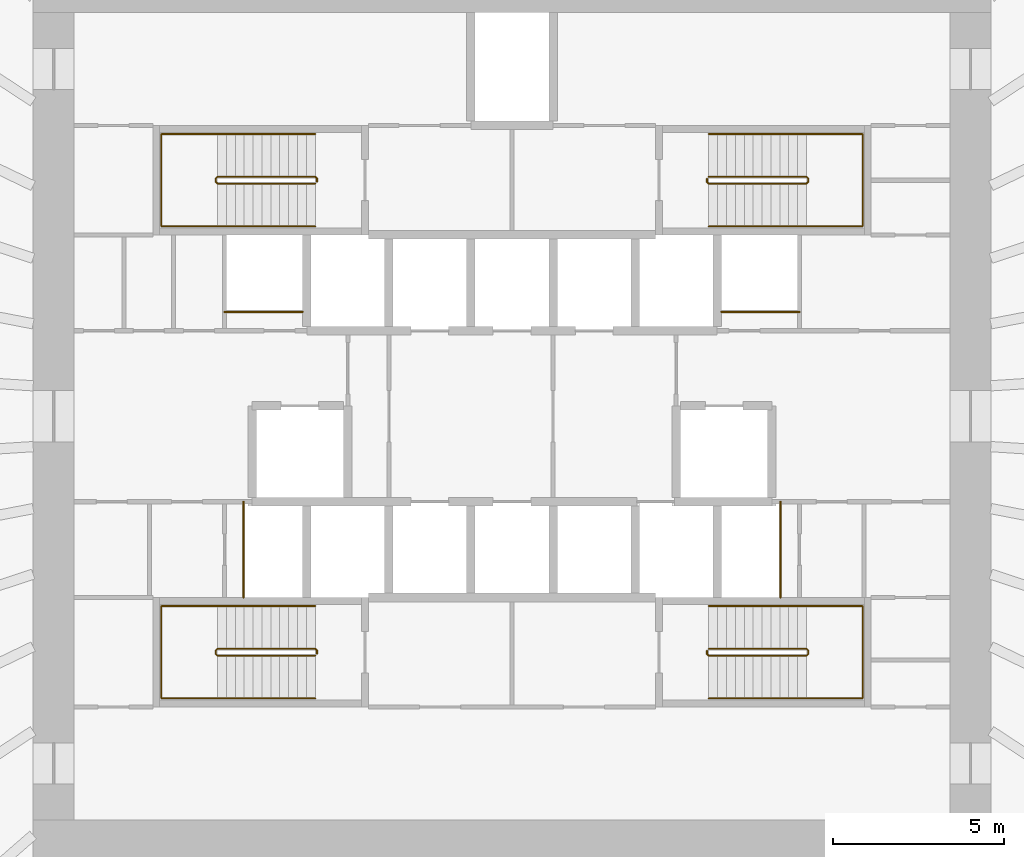
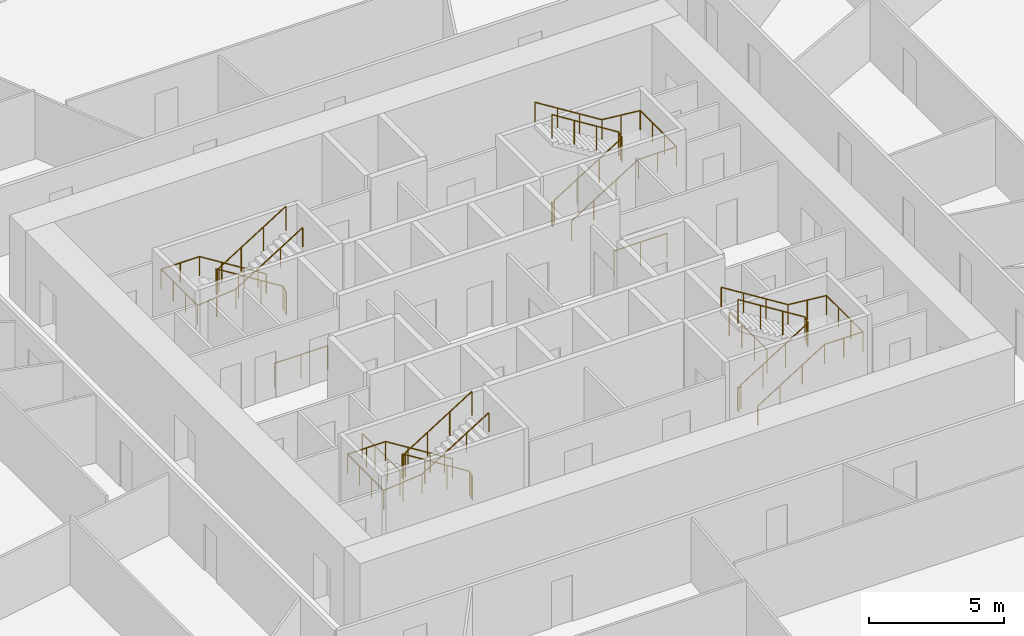
# One storey, part 11 of 11: 12 railings.
"""IFC4 building model written with IfcOpenShell, lengths in metres."""

from ifc_helpers import new_model, si_unit, direction, frame, origin, origin_2d, place, context, subcontext, project, spatial, circle, extrude, source, transform, mapped, material, type_object, element, save


model = new_model("IFC4")

# Units and contexts
model_context = context("Model", 3, precision=1e-05, world=origin(), true_north=direction((0.0, 1.0)))
body_context = subcontext(model_context, "Body", "Model", "MODEL_VIEW")
ifc_project = project(units=[si_unit("LENGTHUNIT", "METRE"), si_unit("AREAUNIT", "SQUARE_METRE"), si_unit("VOLUMEUNIT", "CUBIC_METRE"), si_unit("PLANEANGLEUNIT", "RADIAN"), si_unit("MASSUNIT", "GRAM", prefix="KILO")], contexts=[model_context])

# Site, building, storey
site_placement = place(None, origin())
site = spatial("IfcSite", under=ifc_project, at=site_placement, CompositionType="ELEMENT")
building_placement = place(site_placement, origin())
building = spatial("IfcBuilding", under=site, at=building_placement, Name="Embergate Tower", CompositionType="ELEMENT")
storey_placement = place(building_placement, frame((0.0, 0.0, 109.39990234375)))
storey = spatial("IfcBuildingStorey", under=building, at=storey_placement, Name="L23", CompositionType="ELEMENT", Elevation=109.39990234375)

# Railings
ifc_material_1 = material(Name="Stair guard 1100")
railing_type_1 = type_object("IfcRailingType", Name="Stair guard 1100", PredefinedType="GUARDRAIL", material=ifc_material_1)
shared_shape_1 = source(origin(), body_context, "Body", "SweptSolid", [
    extrude(circle(Radius=0.02392578125, at=origin_2d()), frame((0.0, 0.0, 1.076171875), z_axis=(0.0, 1.0, 0.0), x_axis=(-1.0, 0.0, 0.0)), (0.0, 0.0, 1.0), 0.099853515625),
    extrude(circle(Radius=0.02392578125, at=origin_2d()), frame((0.0, 0.099853515625, 1.076171875), z_axis=(-0.282227285176, 0.282227285176, 0.916894497205), x_axis=(-0.707106781187, -0.707106781187, 0.0)), (0.0, 0.0, 1.0), 0.17724609375),
    extrude(circle(Radius=0.02392578125, at=origin_2d()), frame((-0.050048828125, 0.14990234375, 1.23876953125), z_axis=(-0.847994237388, 0.0, 0.530005446535), x_axis=(0.0, -1.0, 0.0)), (0.0, 0.0, 1.0), 3.372802734375),
    extrude(circle(Radius=0.02392578125, at=origin_2d()), frame((-2.91015625, 0.14990234375, 3.0263671875), z_axis=(-0.705375805398, -0.708833529934, 0.0), x_axis=(0.708833529934, -0.705375805398, 0.0)), (0.0, 0.0, 1.0), 0.070556640625),
    extrude(circle(Radius=0.02392578125, at=origin_2d()), frame((-2.9599609375, 0.099853515625, 3.0263671875), z_axis=(0.0, -1.0, 0.0), x_axis=(1.0, 0.0, 0.0)), (0.0, 0.0, 1.0), 0.099853515625),
    extrude(circle(Radius=0.02392578125, at=origin_2d()), frame((-2.9599609375, 0.0, 3.0263671875), z_axis=(0.281314826061, -0.282693820306, 0.917031173188), x_axis=(0.708833529934, 0.705375805398, 0.0)), (0.0, 0.0, 1.0), 0.177001953125),
    extrude(circle(Radius=0.02392578125, at=origin_2d()), frame((-2.91015625, -0.050048828125, 3.1884765625), z_axis=(0.847994237388, 0.0, 0.530005446535), x_axis=(0.0, 1.0, 0.0)), (0.0, 0.0, 1.0), 3.372802734375),
    extrude(circle(Radius=0.02099609375, at=origin_2d()), origin(), (0.0, 0.0, 1.0), 1.052001953125),
    extrude(circle(Radius=0.02099609375, at=origin_2d()), frame((0.0, 0.099853515625, 0.0)), (0.0, 0.0, 1.0), 1.052001953125),
    extrude(circle(Radius=0.02099609375, at=origin_2d()), frame((-0.050048828125, 0.14990234375, 0.16259765625)), (0.0, 0.0, 1.0), 1.052001953125),
    extrude(circle(Radius=0.02099609375, at=origin_2d()), frame((-1.00341796875, 0.14990234375, 0.758544921875)), (0.0, 0.0, 1.0), 1.052001953125),
    extrude(circle(Radius=0.02099609375, at=origin_2d()), frame((-1.956787109375, 0.14990234375, 1.354248046875)), (0.0, 0.0, 1.0), 1.052001953125),
    extrude(circle(Radius=0.02099609375, at=origin_2d()), frame((-2.91015625, 0.14990234375, 1.9501953125)), (0.0, 0.0, 1.0), 1.052001953125),
    extrude(circle(Radius=0.02099609375, at=origin_2d()), frame((-2.9599609375, 0.099853515625, 1.9501953125)), (0.0, 0.0, 1.0), 1.052001953125),
    extrude(circle(Radius=0.02099609375, at=origin_2d()), frame((-2.9599609375, 0.0, 1.9501953125)), (0.0, 0.0, 1.0), 1.052001953125),
    extrude(circle(Radius=0.02099609375, at=origin_2d()), frame((-2.91015625, -0.050048828125, 2.112548828125)), (0.0, 0.0, 1.0), 1.052001953125),
    extrude(circle(Radius=0.02099609375, at=origin_2d()), frame((-1.956787109375, -0.050048828125, 2.70849609375)), (0.0, 0.0, 1.0), 1.052001953125),
    extrude(circle(Radius=0.02099609375, at=origin_2d()), frame((-1.00341796875, -0.050048828125, 3.30419921875)), (0.0, 0.0, 1.0), 1.052001953125),
    extrude(circle(Radius=0.02099609375, at=origin_2d()), frame((-0.050048828125, -0.050048828125, 3.900146484375)), (0.0, 0.0, 1.0), 1.052001953125),
])
for number, where, name in (
    (1, (-5.699951171875, 6.85009765625, 0.0), "L23 ST1 stair guard 1"),
    (2, (-5.699951171875, -6.949951171875, 0.0), "L23 ST3 stair guard 1"),
):
    element("IfcRailing", number, at=place(storey_placement, frame(where)), inside=storey, type_object=railing_type_1, Name=name, PredefinedType="GUARDRAIL", context=body_context, shape_type="MappedRepresentation", body=[
        mapped(shared_shape_1, transform((0.0, 0.0, 0.0))),
    ])
ifc_material_2 = material(Name="Stair handrail 900")
railing_type_2 = type_object("IfcRailingType", Name="Stair handrail 900", PredefinedType="HANDRAIL", material=ifc_material_2)
shared_shape_2 = source(origin(), body_context, "Body", "SweptSolid", [
    extrude(circle(Radius=0.02392578125, at=origin_2d()), frame((0.0, 0.0, 0.8759765625), z_axis=(-0.847994237388, 0.0, 0.530005446535), x_axis=(0.0, -1.0, 0.0)), (0.0, 0.0, 1.0), 3.372802734375),
    extrude(circle(Radius=0.02392578125, at=origin_2d()), frame((-2.860107421875, 0.0, 2.66357421875), z_axis=(-1.0, 0.0, 0.0), x_axis=(0.0, -1.0, 0.0)), (0.0, 0.0, 1.0), 1.639892578125),
    extrude(circle(Radius=0.02392578125, at=origin_2d()), frame((-4.5, 0.0, 2.66357421875), z_axis=(0.0, -1.0, 0.0), x_axis=(1.0, 0.0, 0.0)), (0.0, 0.0, 1.0), 2.699951171875),
    extrude(circle(Radius=0.02392578125, at=origin_2d()), frame((-4.5, -2.699951171875, 2.66357421875), z_axis=(0.995134983717, 0.0, 0.098520881967), x_axis=(0.0, 1.0, 0.0)), (0.0, 0.0, 1.0), 1.64794921875),
    extrude(circle(Radius=0.02392578125, at=origin_2d()), frame((-2.860107421875, -2.699951171875, 2.82568359375), z_axis=(0.847994237388, 0.0, 0.530005446535), x_axis=(0.0, 1.0, 0.0)), (0.0, 0.0, 1.0), 3.372802734375),
    extrude(circle(Radius=0.02099609375, at=origin_2d()), origin(), (0.0, 0.0, 1.0), 0.851806640625),
    extrude(circle(Radius=0.02099609375, at=origin_2d()), frame((-0.953369140625, 0.0, 0.595947265625)), (0.0, 0.0, 1.0), 0.851806640625),
    extrude(circle(Radius=0.02099609375, at=origin_2d()), frame((-1.90673828125, 0.0, 1.191650390625)), (0.0, 0.0, 1.0), 0.851806640625),
    extrude(circle(Radius=0.02099609375, at=origin_2d()), frame((-2.860107421875, 0.0, 1.78759765625)), (0.0, 0.0, 1.0), 0.851806640625),
    extrude(circle(Radius=0.02099609375, at=origin_2d()), frame((-3.68017578125, 0.0, 1.78759765625)), (0.0, 0.0, 1.0), 0.851806640625),
    extrude(circle(Radius=0.02099609375, at=origin_2d()), frame((-4.5, 0.0, 1.78759765625)), (0.0, 0.0, 1.0), 0.851806640625),
    extrude(circle(Radius=0.02099609375, at=origin_2d()), frame((-4.5, -0.89990234375, 1.78759765625)), (0.0, 0.0, 1.0), 0.851806640625),
    extrude(circle(Radius=0.02099609375, at=origin_2d()), frame((-4.5, -1.800048828125, 1.78759765625)), (0.0, 0.0, 1.0), 0.851806640625),
    extrude(circle(Radius=0.02099609375, at=origin_2d()), frame((-4.5, -2.699951171875, 1.78759765625)), (0.0, 0.0, 1.0), 0.851806640625),
    extrude(circle(Radius=0.02099609375, at=origin_2d()), frame((-3.68017578125, -2.699951171875, 1.86865234375)), (0.0, 0.0, 1.0), 0.851806640625),
    extrude(circle(Radius=0.02099609375, at=origin_2d()), frame((-2.860107421875, -2.699951171875, 1.949951171875)), (0.0, 0.0, 1.0), 0.851806640625),
    extrude(circle(Radius=0.02099609375, at=origin_2d()), frame((-1.90673828125, -2.699951171875, 2.5458984375)), (0.0, 0.0, 1.0), 0.851806640625),
    extrude(circle(Radius=0.02099609375, at=origin_2d()), frame((-0.953369140625, -2.699951171875, 3.1416015625)), (0.0, 0.0, 1.0), 0.851806640625),
    extrude(circle(Radius=0.02099609375, at=origin_2d()), frame((0.0, -2.699951171875, 3.737548828125)), (0.0, 0.0, 1.0), 0.851806640625),
])
for number, where, name in (
    (3, (-5.75, 8.25, 0.16259765625), "L23 ST1 stair handrail 1"),
    (4, (-5.75, -5.550048828125, 0.16259765625), "L23 ST3 stair handrail 1"),
):
    element("IfcRailing", number, at=place(storey_placement, frame(where)), inside=storey, type_object=railing_type_2, Name=name, PredefinedType="HANDRAIL", context=body_context, shape_type="MappedRepresentation", body=[
        mapped(shared_shape_2, transform((0.0, 0.0, 0.0))),
    ])
shared_shape_3 = source(origin(), body_context, "Body", "SweptSolid", [
    extrude(circle(Radius=0.02392578125, at=origin_2d()), frame((0.0, 0.0, 1.076171875), z_axis=(0.0, -1.0, 0.0), x_axis=(1.0, 0.0, 0.0)), (0.0, 0.0, 1.0), 0.099853515625),
    extrude(circle(Radius=0.02392578125, at=origin_2d()), frame((0.0, -0.099853515625, 1.076171875), z_axis=(0.282227285176, -0.282227285176, 0.916894497205), x_axis=(0.707106781187, 0.707106781187, 0.0)), (0.0, 0.0, 1.0), 0.17724609375),
    extrude(circle(Radius=0.02392578125, at=origin_2d()), frame((0.050048828125, -0.14990234375, 1.23876953125), z_axis=(0.847994237388, 0.0, 0.530005446535), x_axis=(0.0, 1.0, 0.0)), (0.0, 0.0, 1.0), 3.372802734375),
    extrude(circle(Radius=0.02392578125, at=origin_2d()), frame((2.91015625, -0.14990234375, 3.0263671875), z_axis=(0.705375805398, 0.708833529934, 0.0), x_axis=(-0.708833529934, 0.705375805398, 0.0)), (0.0, 0.0, 1.0), 0.070556640625),
    extrude(circle(Radius=0.02392578125, at=origin_2d()), frame((2.9599609375, -0.099853515625, 3.0263671875), z_axis=(0.0, 1.0, 0.0), x_axis=(-1.0, 0.0, 0.0)), (0.0, 0.0, 1.0), 0.099853515625),
    extrude(circle(Radius=0.02392578125, at=origin_2d()), frame((2.9599609375, 0.0, 3.0263671875), z_axis=(-0.281314826061, 0.282693820306, 0.917031173188), x_axis=(-0.708833529934, -0.705375805398, 0.0)), (0.0, 0.0, 1.0), 0.177001953125),
    extrude(circle(Radius=0.02392578125, at=origin_2d()), frame((2.91015625, 0.050048828125, 3.1884765625), z_axis=(-0.847994237388, 0.0, 0.530005446535), x_axis=(0.0, -1.0, 0.0)), (0.0, 0.0, 1.0), 3.372802734375),
    extrude(circle(Radius=0.02099609375, at=origin_2d()), origin(), (0.0, 0.0, 1.0), 1.052001953125),
    extrude(circle(Radius=0.02099609375, at=origin_2d()), frame((0.0, -0.099853515625, 0.0)), (0.0, 0.0, 1.0), 1.052001953125),
    extrude(circle(Radius=0.02099609375, at=origin_2d()), frame((0.050048828125, -0.14990234375, 0.16259765625)), (0.0, 0.0, 1.0), 1.052001953125),
    extrude(circle(Radius=0.02099609375, at=origin_2d()), frame((1.00341796875, -0.14990234375, 0.758544921875)), (0.0, 0.0, 1.0), 1.052001953125),
    extrude(circle(Radius=0.02099609375, at=origin_2d()), frame((1.956787109375, -0.14990234375, 1.354248046875)), (0.0, 0.0, 1.0), 1.052001953125),
    extrude(circle(Radius=0.02099609375, at=origin_2d()), frame((2.91015625, -0.14990234375, 1.9501953125)), (0.0, 0.0, 1.0), 1.052001953125),
    extrude(circle(Radius=0.02099609375, at=origin_2d()), frame((2.9599609375, -0.099853515625, 1.9501953125)), (0.0, 0.0, 1.0), 1.052001953125),
    extrude(circle(Radius=0.02099609375, at=origin_2d()), frame((2.9599609375, 0.0, 1.9501953125)), (0.0, 0.0, 1.0), 1.052001953125),
    extrude(circle(Radius=0.02099609375, at=origin_2d()), frame((2.91015625, 0.050048828125, 2.112548828125)), (0.0, 0.0, 1.0), 1.052001953125),
    extrude(circle(Radius=0.02099609375, at=origin_2d()), frame((1.956787109375, 0.050048828125, 2.70849609375)), (0.0, 0.0, 1.0), 1.052001953125),
    extrude(circle(Radius=0.02099609375, at=origin_2d()), frame((1.00341796875, 0.050048828125, 3.30419921875)), (0.0, 0.0, 1.0), 1.052001953125),
    extrude(circle(Radius=0.02099609375, at=origin_2d()), frame((0.050048828125, 0.050048828125, 3.900146484375)), (0.0, 0.0, 1.0), 1.052001953125),
])
for number, where, name in (
    (5, (5.699951171875, 6.949951171875, 0.0), "L23 ST2 stair guard 1"),
    (6, (5.699951171875, -6.85009765625, 0.0), "L23 ST4 stair guard 1"),
):
    element("IfcRailing", number, at=place(storey_placement, frame(where)), inside=storey, type_object=railing_type_1, Name=name, PredefinedType="GUARDRAIL", context=body_context, shape_type="MappedRepresentation", body=[
        mapped(shared_shape_3, transform((0.0, 0.0, 0.0))),
    ])
shared_shape_4 = source(origin(), body_context, "Body", "SweptSolid", [
    extrude(circle(Radius=0.02392578125, at=origin_2d()), frame((0.0, 0.0, 0.8759765625), z_axis=(0.847994237388, 0.0, 0.530005446535), x_axis=(0.0, 1.0, 0.0)), (0.0, 0.0, 1.0), 3.372802734375),
    extrude(circle(Radius=0.02392578125, at=origin_2d()), frame((2.860107421875, 0.0, 2.66357421875), z_axis=(1.0, 0.0, 0.0), x_axis=(0.0, 1.0, 0.0)), (0.0, 0.0, 1.0), 1.639892578125),
    extrude(circle(Radius=0.02392578125, at=origin_2d()), frame((4.5, 0.0, 2.66357421875), z_axis=(0.0, 1.0, 0.0), x_axis=(-1.0, 0.0, 0.0)), (0.0, 0.0, 1.0), 2.699951171875),
    extrude(circle(Radius=0.02392578125, at=origin_2d()), frame((4.5, 2.699951171875, 2.66357421875), z_axis=(-0.995134983717, 0.0, 0.098520881967), x_axis=(0.0, -1.0, 0.0)), (0.0, 0.0, 1.0), 1.64794921875),
    extrude(circle(Radius=0.02392578125, at=origin_2d()), frame((2.860107421875, 2.699951171875, 2.82568359375), z_axis=(-0.847994237388, 0.0, 0.530005446535), x_axis=(0.0, -1.0, 0.0)), (0.0, 0.0, 1.0), 3.372802734375),
    extrude(circle(Radius=0.02099609375, at=origin_2d()), origin(), (0.0, 0.0, 1.0), 0.851806640625),
    extrude(circle(Radius=0.02099609375, at=origin_2d()), frame((0.953369140625, 0.0, 0.595947265625)), (0.0, 0.0, 1.0), 0.851806640625),
    extrude(circle(Radius=0.02099609375, at=origin_2d()), frame((1.90673828125, 0.0, 1.191650390625)), (0.0, 0.0, 1.0), 0.851806640625),
    extrude(circle(Radius=0.02099609375, at=origin_2d()), frame((2.860107421875, 0.0, 1.78759765625)), (0.0, 0.0, 1.0), 0.851806640625),
    extrude(circle(Radius=0.02099609375, at=origin_2d()), frame((3.68017578125, 0.0, 1.78759765625)), (0.0, 0.0, 1.0), 0.851806640625),
    extrude(circle(Radius=0.02099609375, at=origin_2d()), frame((4.5, 0.0, 1.78759765625)), (0.0, 0.0, 1.0), 0.851806640625),
    extrude(circle(Radius=0.02099609375, at=origin_2d()), frame((4.5, 0.89990234375, 1.78759765625)), (0.0, 0.0, 1.0), 0.851806640625),
    extrude(circle(Radius=0.02099609375, at=origin_2d()), frame((4.5, 1.800048828125, 1.78759765625)), (0.0, 0.0, 1.0), 0.851806640625),
    extrude(circle(Radius=0.02099609375, at=origin_2d()), frame((4.5, 2.699951171875, 1.78759765625)), (0.0, 0.0, 1.0), 0.851806640625),
    extrude(circle(Radius=0.02099609375, at=origin_2d()), frame((3.68017578125, 2.699951171875, 1.86865234375)), (0.0, 0.0, 1.0), 0.851806640625),
    extrude(circle(Radius=0.02099609375, at=origin_2d()), frame((2.860107421875, 2.699951171875, 1.949951171875)), (0.0, 0.0, 1.0), 0.851806640625),
    extrude(circle(Radius=0.02099609375, at=origin_2d()), frame((1.90673828125, 2.699951171875, 2.5458984375)), (0.0, 0.0, 1.0), 0.851806640625),
    extrude(circle(Radius=0.02099609375, at=origin_2d()), frame((0.953369140625, 2.699951171875, 3.1416015625)), (0.0, 0.0, 1.0), 0.851806640625),
    extrude(circle(Radius=0.02099609375, at=origin_2d()), frame((0.0, 2.699951171875, 3.737548828125)), (0.0, 0.0, 1.0), 0.851806640625),
])
for number, where, name in (
    (7, (5.75, 5.550048828125, 0.16259765625), "L23 ST2 stair handrail 1"),
    (8, (5.75, -8.25, 0.16259765625), "L23 ST4 stair handrail 1"),
):
    element("IfcRailing", number, at=place(storey_placement, frame(where)), inside=storey, type_object=railing_type_2, Name=name, PredefinedType="HANDRAIL", context=body_context, shape_type="MappedRepresentation", body=[
        mapped(shared_shape_4, transform((0.0, 0.0, 0.0))),
    ])
ifc_material_3 = material(Name="Opening guard 1100")
railing_type_3 = type_object("IfcRailingType", Name="Opening guard 1100", PredefinedType="GUARDRAIL", material=ifc_material_3)
shared_shape_5 = source(origin(), body_context, "Body", "SweptSolid", [
    extrude(circle(Radius=0.02392578125, at=origin_2d()), frame((0.0, 0.0, 1.076171875), z_axis=(1.0, 0.0, 0.0), x_axis=(0.0, 1.0, 0.0)), (0.0, 0.0, 1.0), 2.27490234375),
    extrude(circle(Radius=0.02099609375, at=origin_2d()), origin(), (0.0, 0.0, 1.0), 1.052001953125),
    extrude(circle(Radius=0.02099609375, at=origin_2d()), frame((1.137451171875, 0.0, 0.0)), (0.0, 0.0, 1.0), 1.052001953125),
    extrude(circle(Radius=0.02099609375, at=origin_2d()), frame((2.27490234375, 0.0, 0.0)), (0.0, 0.0, 1.0), 1.052001953125),
])
for number, where, name in (
    (9, (-8.39990234375, 3.050048828125, 0.0), "Riser opening guard"),
    (10, (6.125, 3.050048828125, 0.0), "Riser opening guard"),
):
    element("IfcRailing", number, at=place(storey_placement, frame(where)), inside=storey, type_object=railing_type_3, Name=name, PredefinedType="GUARDRAIL", context=body_context, shape_type="MappedRepresentation", body=[
        mapped(shared_shape_5, transform((0.0, 0.0, 0.0))),
    ])
shared_shape_6 = source(origin(), body_context, "Body", "SweptSolid", [
    extrude(circle(Radius=0.02392578125, at=origin_2d()), frame((0.0, 0.0, 1.076171875), z_axis=(0.0, 1.0, 0.0), x_axis=(-1.0, 0.0, 0.0)), (0.0, 0.0, 1.0), 2.800048828125),
    extrude(circle(Radius=0.02099609375, at=origin_2d()), origin(), (0.0, 0.0, 1.0), 1.052001953125),
    extrude(circle(Radius=0.02099609375, at=origin_2d()), frame((0.0, 0.933349609375, 0.0)), (0.0, 0.0, 1.0), 1.052001953125),
    extrude(circle(Radius=0.02099609375, at=origin_2d()), frame((0.0, 1.86669921875, 0.0)), (0.0, 0.0, 1.0), 1.052001953125),
    extrude(circle(Radius=0.02099609375, at=origin_2d()), frame((0.0, 2.800048828125, 0.0)), (0.0, 0.0, 1.0), 1.052001953125),
])
for number, where, name in (
    (11, (-7.85009765625, -5.300048828125, 0.0), "Riser opening guard"),
    (12, (7.85009765625, -5.300048828125, 0.0), "Riser opening guard"),
):
    element("IfcRailing", number, at=place(storey_placement, frame(where)), inside=storey, type_object=railing_type_3, Name=name, PredefinedType="GUARDRAIL", context=body_context, shape_type="MappedRepresentation", body=[
        mapped(shared_shape_6, transform((0.0, 0.0, 0.0))),
    ])

save(model, "model.ifc")
